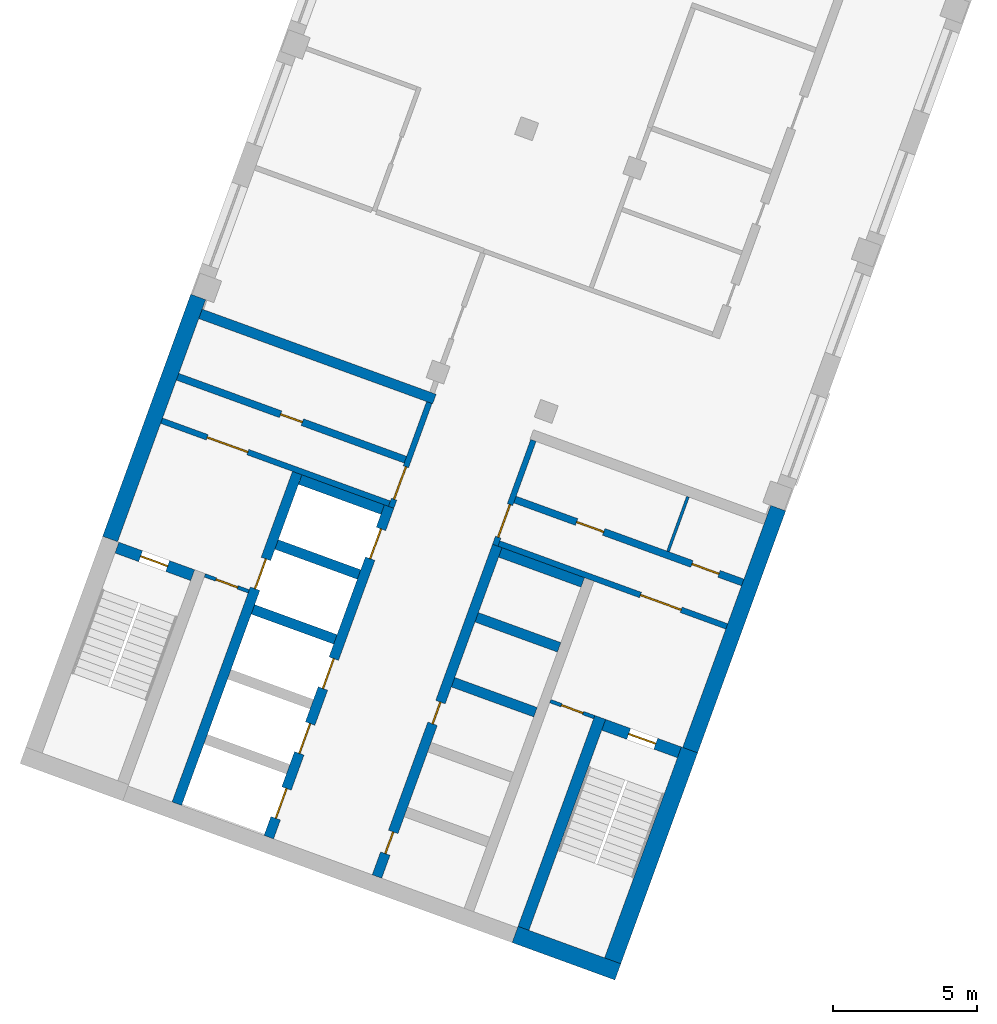
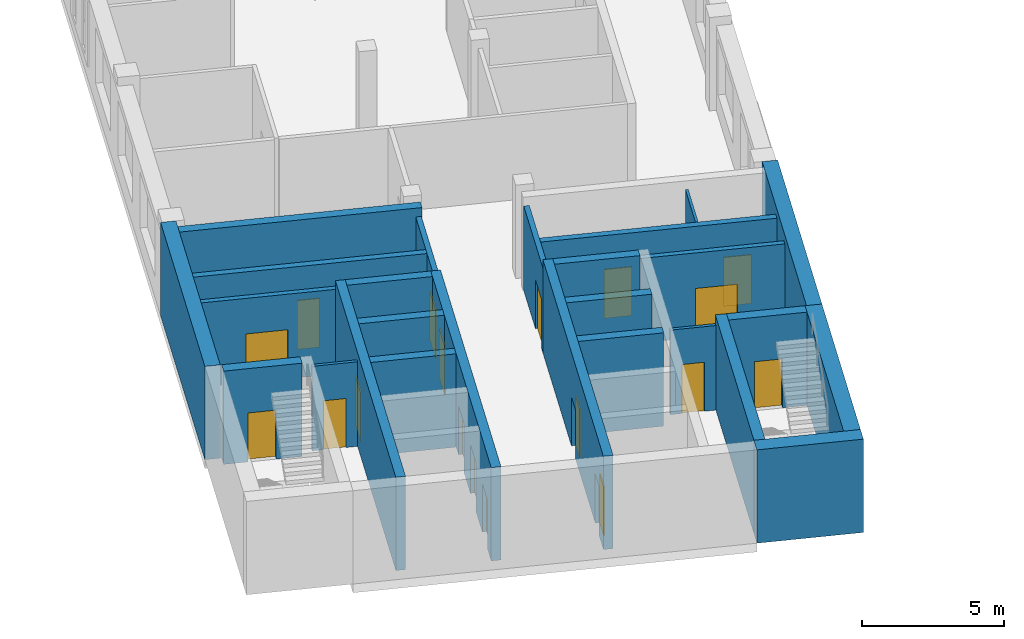
# One storey, part 2 of 8: 26 walls, 18 doors, 18 openings.
"""IFC4 building model written with IfcOpenShell, lengths in metres."""

from ifc_helpers import new_model, si_unit, direction, frame, frame_2d, origin, place, context, subcontext, project, spatial, rectangle, extrude, material, layer, layer_set, type_object, element, fill, save


model = new_model("IFC4")

# Units and contexts
model_context = context("Model", 3, precision=1e-05, world=origin(), true_north=direction((0.0, 1.0)))
body_context = subcontext(model_context, "Body", "Model", "MODEL_VIEW")
ifc_project = project(units=[si_unit("LENGTHUNIT", "METRE"), si_unit("AREAUNIT", "SQUARE_METRE"), si_unit("VOLUMEUNIT", "CUBIC_METRE"), si_unit("PLANEANGLEUNIT", "RADIAN"), si_unit("MASSUNIT", "GRAM", prefix="KILO")], contexts=[model_context])

# Site, building, storey
site_placement = place(None, origin())
site = spatial("IfcSite", under=ifc_project, at=site_placement, CompositionType="ELEMENT")
building_placement = place(site_placement, origin())
building = spatial("IfcBuilding", under=site, at=building_placement, Name="Skarvind Civic Tower", CompositionType="ELEMENT")
storey_placement = place(building_placement, frame((0.0, 0.0, 146.5)))
storey = spatial("IfcBuildingStorey", under=building, at=storey_placement, Name="L34", CompositionType="ELEMENT", Elevation=146.5)

# Wall, opening, door
ifc_material_1 = material(Name="Fire-rated masonry partition", Category="masonry")
ifc_layer_1 = layer(ifc_material_1, 0.199951171875)
ifc_layer_set_1 = layer_set([ifc_layer_1], Name="Core enclosure wall 200")
wall_type_1 = type_object("IfcWallType", Name="Core enclosure wall 200", PredefinedType="PARTITIONING", material=ifc_layer_set_1)
wall_1_placement = place(storey_placement, frame((31.45947265625, 93.67822265625, 0.0), z_axis=(0.0, 0.0, 1.0), x_axis=(0.341985870128, 0.939705094502, 0.0)))
wall_1 = element("IfcWall", 1, at=wall_1_placement, inside=storey, type_object=wall_type_1, Name="Core wall C2", PredefinedType="PARTITIONING", context=body_context, shape_type="SweptSolid", body=[
    extrude(rectangle(XDim=3.875, YDim=0.199951171875, at=frame_2d((1.9375, 0.0))), origin(), (0.0, 0.0, 1.0), 3.625),
])
opening_1_placement = place(wall_1_placement, frame((0.300048828125, 0.0, 0.0)))
opening_1 = element("IfcOpeningElement", 2, at=opening_1_placement, cuts=wall_1, Name="Opening D-L34-C2-07", PredefinedType="OPENING", context=body_context, shape_type="SweptSolid", body=[
    extrude(rectangle(XDim=1.199951171875, YDim=2.10009765625, at=frame_2d((0.60009765625, 1.050048828125))), frame((0.0, 0.10986328125, 0.0), z_axis=(0.0, -1.0, 0.0), x_axis=(1.0, 0.0, 0.0)), (0.0, 0.0, 1.0), 0.219970703125),
])
ifc_material_2 = material(Name="Fire-rated steel door", Category="steel")
door_type_1 = type_object("IfcDoorType", Name="Core lobby door 1200", OperationType="NOTDEFINED", PredefinedType="DOOR", material=ifc_material_2)
door_1_placement = place(opening_1_placement, origin())
door_1 = element("IfcDoor", 3, at=door_1_placement, inside=storey, type_object=door_type_1, Name="Fire door", OperationType="DOUBLE_DOOR_SINGLE_SWING", OverallHeight=2.10009765625, OverallWidth=1.199951171875, PredefinedType="DOOR", context=body_context, shape_type="SweptSolid", body=[
    extrude(rectangle(XDim=1.199951171875, YDim=2.10009765625, at=frame_2d((0.60009765625, 1.050048828125))), frame((0.0, 0.02490234375, 0.0), z_axis=(0.0, -1.0, 0.0), x_axis=(1.0, 0.0, 0.0)), (0.0, 0.0, 1.0), 0.050048828125),
])
fill(opening_1, door_1)

wall_2_placement = place(storey_placement, frame((23.482666015625, 96.68798828125, 0.0), z_axis=(0.0, 0.0, 1.0), x_axis=(0.939691007314, -0.342024576271, 0.0)))
wall_2 = element("IfcWall", 4, at=wall_2_placement, inside=storey, type_object=wall_type_1, Name="Core wall C2", PredefinedType="PARTITIONING", context=body_context, shape_type="SweptSolid", body=[
    extrude(rectangle(XDim=8.425048828125, YDim=0.199951171875, at=frame_2d((4.21240234375, 0.0))), origin(), (0.0, 0.0, 1.0), 3.625),
])
opening_2_placement = place(wall_2_placement, frame((1.6875, 0.0, 0.0)))
opening_2 = element("IfcOpeningElement", 5, at=opening_2_placement, cuts=wall_2, Name="Opening D-L34-C2-08", PredefinedType="OPENING", context=body_context, shape_type="SweptSolid", body=[
    extrude(rectangle(XDim=1.5, YDim=2.10009765625, at=frame_2d((0.75, 1.050048828125))), frame((0.0, 0.10986328125, 0.0), z_axis=(0.0, -1.0, 0.0), x_axis=(1.0, 0.0, 0.0)), (0.0, 0.0, 1.0), 0.219970703125),
])
door_type_2 = type_object("IfcDoorType", Name="Fire door 1500", OperationType="NOTDEFINED", PredefinedType="DOOR", material=ifc_material_2)
door_2_placement = place(opening_2_placement, origin())
door_2 = element("IfcDoor", 6, at=door_2_placement, inside=storey, type_object=door_type_2, Name="Fire door", OperationType="DOUBLE_DOOR_SINGLE_SWING", OverallHeight=2.10009765625, OverallWidth=1.5, PredefinedType="DOOR", context=body_context, shape_type="SweptSolid", body=[
    extrude(rectangle(XDim=1.5, YDim=2.10009765625, at=frame_2d((0.75, 1.050048828125))), frame((0.0, 0.02490234375, 0.0), z_axis=(0.0, -1.0, 0.0), x_axis=(1.0, 0.0, 0.0)), (0.0, 0.0, 1.0), 0.050048828125),
])
fill(opening_2, door_2)

wall_3_placement = place(storey_placement, frame((36.402587890625, 96.0029296875, 0.0), z_axis=(0.0, 0.0, 1.0), x_axis=(-0.342041503764, -0.939684845947, 0.0)))
wall_3 = element("IfcWall", 7, at=wall_3_placement, inside=storey, type_object=wall_type_1, Name="Core wall C2", PredefinedType="PARTITIONING", context=body_context, shape_type="SweptSolid", body=[
    extrude(rectangle(XDim=3.875, YDim=0.199951171875, at=frame_2d((1.9375, 0.0))), origin(), (0.0, 0.0, 1.0), 3.625),
])
opening_3_placement = place(wall_3_placement, frame((2.375, 0.0, 0.0)))
opening_3 = element("IfcOpeningElement", 8, at=opening_3_placement, cuts=wall_3, Name="Opening D-L34-C2-12", PredefinedType="OPENING", context=body_context, shape_type="SweptSolid", body=[
    extrude(rectangle(XDim=1.199951171875, YDim=2.10009765625, at=frame_2d((0.60009765625, 1.050048828125))), frame((0.0, 0.10986328125, 0.0), z_axis=(0.0, -1.0, 0.0), x_axis=(1.0, 0.0, 0.0)), (0.0, 0.0, 1.0), 0.219970703125),
])
door_3_placement = place(opening_3_placement, origin())
door_3 = element("IfcDoor", 9, at=door_3_placement, inside=storey, type_object=door_type_1, Name="Fire door", OperationType="DOUBLE_DOOR_SINGLE_SWING", OverallHeight=2.10009765625, OverallWidth=1.199951171875, PredefinedType="DOOR", context=body_context, shape_type="SweptSolid", body=[
    extrude(rectangle(XDim=1.199951171875, YDim=2.10009765625, at=frame_2d((0.60009765625, 1.050048828125))), frame((0.0, 0.02490234375, 0.0), z_axis=(0.0, -1.0, 0.0), x_axis=(1.0, 0.0, 0.0)), (0.0, 0.0, 1.0), 0.050048828125),
])
fill(opening_3, door_3)

wall_4_placement = place(storey_placement, frame((35.205322265625, 92.42138671875, 0.0), z_axis=(0.0, 0.0, 1.0), x_axis=(0.939691007314, -0.342024576271, 0.0)))
wall_4 = element("IfcWall", 10, at=wall_4_placement, inside=storey, type_object=wall_type_1, Name="Core wall C2", PredefinedType="PARTITIONING", context=body_context, shape_type="SweptSolid", body=[
    extrude(rectangle(XDim=8.425048828125, YDim=0.199951171875, at=frame_2d((4.21240234375, 0.0))), origin(), (0.0, 0.0, 1.0), 3.625),
])
opening_4_placement = place(wall_4_placement, frame((5.237548828125, 0.0, 0.0)))
opening_4 = element("IfcOpeningElement", 11, at=opening_4_placement, cuts=wall_4, Name="Opening D-L34-C2-13", PredefinedType="OPENING", context=body_context, shape_type="SweptSolid", body=[
    extrude(rectangle(XDim=1.5, YDim=2.10009765625, at=frame_2d((0.75, 1.050048828125))), frame((0.0, 0.10986328125, 0.0), z_axis=(0.0, -1.0, 0.0), x_axis=(1.0, 0.0, 0.0)), (0.0, 0.0, 1.0), 0.219970703125),
])
door_4_placement = place(opening_4_placement, origin())
door_4 = element("IfcDoor", 12, at=door_4_placement, inside=storey, type_object=door_type_2, Name="Fire door", OperationType="DOUBLE_DOOR_SINGLE_SWING", OverallHeight=2.10009765625, OverallWidth=1.5, PredefinedType="DOOR", context=body_context, shape_type="SweptSolid", body=[
    extrude(rectangle(XDim=1.5, YDim=2.10009765625, at=frame_2d((0.75, 1.050048828125))), frame((0.0, 0.02490234375, 0.0), z_axis=(0.0, -1.0, 0.0), x_axis=(1.0, 0.0, 0.0)), (0.0, 0.0, 1.0), 0.050048828125),
])
fill(opening_4, door_4)

# Wall
ifc_material_3 = material(Name="Fire-rated plasterboard partition")
ifc_layer_2 = layer(ifc_material_3, 0.10009765625)
ifc_layer_set_2 = layer_set([ifc_layer_2], Name="Core partition wall 100")
wall_type_2 = type_object("IfcWallType", Name="Core partition wall 100", PredefinedType="PARTITIONING", material=ifc_layer_set_2)
wall_5_placement = place(storey_placement, frame((41.77294921875, 94.048095703125, 0.0), z_axis=(0.0, 0.0, 1.0), x_axis=(-0.342043138314, -0.939684250976, 0.0)))
element("IfcWall", 13, at=wall_5_placement, inside=storey, type_object=wall_type_2, Name="Core wall C2", PredefinedType="PARTITIONING", context=body_context, shape_type="SweptSolid", body=[
    extrude(rectangle(XDim=2.02490234375, YDim=0.10009765625, at=frame_2d((1.012451171875, 0.0))), origin(), (0.0, 0.0, 1.0), 3.625),
])

# Wall, openings, doors
ifc_material_4 = material(Name="Concrete C60", Category="concrete")
ifc_layer_3 = layer(ifc_material_4, 0.35009765625)
ifc_layer_set_3 = layer_set([ifc_layer_3], Name="Core wall 350 C60")
wall_type_3 = type_object("IfcWallType", Name="Core wall 350 C60", PredefinedType="SHEAR", material=ifc_layer_set_3)
wall_6_placement = place(storey_placement, frame((30.966552734375, 80.84814453125, 0.0), z_axis=(0.0, 0.0, 1.0), x_axis=(0.34201563943, 0.939694260058, 0.0)))
wall_6 = element("IfcWall", 14, at=wall_6_placement, inside=storey, type_object=wall_type_3, Name="Core wall C2 south lift row front L34", PredefinedType="SHEAR", context=body_context, shape_type="SweptSolid", body=[
    extrude(rectangle(XDim=12.22509765625, YDim=0.35009765625, at=frame_2d((6.112548828125, 0.0))), origin(), (0.0, 0.0, 1.0), 4.0),
])
opening_5_placement = place(wall_6_placement, frame((0.85009765625, 0.0, 0.0)))
opening_5 = element("IfcOpeningElement", 15, at=opening_5_placement, cuts=wall_6, Name="Opening D-L34-C2-05", PredefinedType="OPENING", context=body_context, shape_type="SweptSolid", body=[
    extrude(rectangle(XDim=0.800048828125, YDim=2.10009765625, at=frame_2d((0.39990234375, 1.050048828125))), frame((0.0, 0.18505859375, 0.0), z_axis=(0.0, -1.0, 0.0), x_axis=(1.0, 0.0, 0.0)), (0.0, 0.0, 1.0), 0.3701171875),
])
opening_6_placement = place(wall_6_placement, frame((5.64990234375, 0.0, 0.0)))
opening_6 = element("IfcOpeningElement", 16, at=opening_6_placement, cuts=wall_6, Name="Opening D-L34-C2-06", PredefinedType="OPENING", context=body_context, shape_type="SweptSolid", body=[
    extrude(rectangle(XDim=0.800048828125, YDim=2.10009765625, at=frame_2d((0.39990234375, 1.050048828125))), frame((0.0, 0.18505859375, 0.0), z_axis=(0.0, -1.0, 0.0), x_axis=(1.0, 0.0, 0.0)), (0.0, 0.0, 1.0), 0.3701171875),
])
door_type_3 = type_object("IfcDoorType", Name="Core riser door 800", OperationType="NOTDEFINED", PredefinedType="DOOR", material=ifc_material_2)
door_5_placement = place(opening_5_placement, origin())
door_5 = element("IfcDoor", 17, at=door_5_placement, inside=storey, type_object=door_type_3, Name="Riser door", OperationType="SINGLE_SWING_LEFT", OverallHeight=2.10009765625, OverallWidth=0.800048828125, PredefinedType="DOOR", context=body_context, shape_type="SweptSolid", body=[
    extrude(rectangle(XDim=0.800048828125, YDim=2.10009765625, at=frame_2d((0.39990234375, 1.050048828125))), frame((0.0, 0.02490234375, 0.0), z_axis=(0.0, -1.0, 0.0), x_axis=(1.0, 0.0, 0.0)), (0.0, 0.0, 1.0), 0.050048828125),
])
fill(opening_5, door_5)
door_6_placement = place(opening_6_placement, origin())
door_6 = element("IfcDoor", 18, at=door_6_placement, inside=storey, type_object=door_type_3, Name="Riser door", OperationType="SINGLE_SWING_RIGHT", OverallHeight=2.10009765625, OverallWidth=0.800048828125, PredefinedType="DOOR", context=body_context, shape_type="SweptSolid", body=[
    extrude(rectangle(XDim=0.800048828125, YDim=2.10009765625, at=frame_2d((0.39990234375, 1.050048828125))), frame((0.0, 0.02490234375, 0.0), z_axis=(0.0, -1.0, 0.0), x_axis=(1.0, 0.0, 0.0)), (0.0, 0.0, 1.0), 0.050048828125),
])
fill(opening_6, door_6)

# Walls
for number, where, z_axis, x_axis, name in (
    (19, (36.4765625, 86.557861328125, 0.0), (0.0, 0.0, 1.0), (-0.939683528043, 0.3420451244, 0.0), "Core wall C2 south lift row division 3 L34"),
    (20, (37.297607421875, 88.813232421875, 0.0), (0.0, 0.0, 1.0), (-0.939692892192, 0.342019397644, 0.0), "Core wall C2 south lift row division 4 L34"),
    (21, (38.118408203125, 91.068359375, 0.0), (0.0, 0.0, 1.0), (-0.939692892192, 0.342019397644, 0.0), "Core wall C2 south lift row division 5 L34"),
):
    element("IfcWall", number, at=place(storey_placement, frame(where, z_axis=z_axis, x_axis=x_axis)), inside=storey, type_object=wall_type_3, Name=name, PredefinedType="SHEAR", context=body_context, shape_type="SweptSolid", body=[
        extrude(rectangle(XDim=3.050048828125, YDim=0.35009765625, at=frame_2d((1.52490234375, 0.0))), origin(), (0.0, 0.0, 1.0), 4.0),
    ])

# Wall, openings, doors
wall_7_placement = place(storey_placement, frame((27.207763671875, 82.21630859375, 0.0), z_axis=(0.0, 0.0, 1.0), x_axis=(0.34201563943, 0.939694260058, 0.0)))
wall_7 = element("IfcWall", 22, at=wall_7_placement, inside=storey, type_object=wall_type_3, Name="Core wall C2 north lift row front L34", PredefinedType="SHEAR", context=body_context, shape_type="SweptSolid", body=[
    extrude(rectangle(XDim=12.22509765625, YDim=0.35009765625, at=frame_2d((6.112548828125, 0.0))), origin(), (0.0, 0.0, 1.0), 4.0),
])
opening_7_placement = place(wall_7_placement, frame((0.699951171875, 0.0, 0.0)))
opening_7 = element("IfcOpeningElement", 23, at=opening_7_placement, cuts=wall_7, Name="Opening LD36201", PredefinedType="OPENING", context=body_context, shape_type="SweptSolid", body=[
    extrude(rectangle(XDim=1.10009765625, YDim=2.10009765625, at=frame_2d((0.550048828125, 1.050048828125))), frame((0.0, 0.18505859375, 0.0), z_axis=(0.0, -1.0, 0.0), x_axis=(1.0, 0.0, 0.0)), (0.0, 0.0, 1.0), 0.3701171875),
])
opening_8_placement = place(wall_7_placement, frame((3.10009765625, 0.0, 0.0)))
opening_8 = element("IfcOpeningElement", 24, at=opening_8_placement, cuts=wall_7, Name="Opening LD36202", PredefinedType="OPENING", context=body_context, shape_type="SweptSolid", body=[
    extrude(rectangle(XDim=1.10009765625, YDim=2.10009765625, at=frame_2d((0.550048828125, 1.050048828125))), frame((0.0, 0.18505859375, 0.0), z_axis=(0.0, -1.0, 0.0), x_axis=(1.0, 0.0, 0.0)), (0.0, 0.0, 1.0), 0.3701171875),
])
opening_9_placement = place(wall_7_placement, frame((5.5, 0.0, 0.0)))
opening_9 = element("IfcOpeningElement", 25, at=opening_9_placement, cuts=wall_7, Name="Opening LD36203", PredefinedType="OPENING", context=body_context, shape_type="SweptSolid", body=[
    extrude(rectangle(XDim=1.10009765625, YDim=2.10009765625, at=frame_2d((0.550048828125, 1.050048828125))), frame((0.0, 0.18505859375, 0.0), z_axis=(0.0, -1.0, 0.0), x_axis=(1.0, 0.0, 0.0)), (0.0, 0.0, 1.0), 0.3701171875),
])
opening_10_placement = place(wall_7_placement, frame((10.300048828125, 0.0, 0.0)))
opening_10 = element("IfcOpeningElement", 26, at=opening_10_placement, cuts=wall_7, Name="Opening LD36205", PredefinedType="OPENING", context=body_context, shape_type="SweptSolid", body=[
    extrude(rectangle(XDim=1.10009765625, YDim=2.10009765625, at=frame_2d((0.550048828125, 1.050048828125))), frame((0.0, 0.18505859375, 0.0), z_axis=(0.0, -1.0, 0.0), x_axis=(1.0, 0.0, 0.0)), (0.0, 0.0, 1.0), 0.3701171875),
])
ifc_material_5 = material(Name="Stainless steel landing door", Category="steel")
door_type_4 = type_object("IfcDoorType", Name="Lift landing door 1100", OperationType="DOUBLE_DOOR_SLIDING", PredefinedType="DOOR", material=ifc_material_5)
door_7_placement = place(opening_7_placement, origin())
door_7 = element("IfcDoor", 27, at=door_7_placement, inside=storey, type_object=door_type_4, Name="Lift landing door", OperationType="DOUBLE_DOOR_SLIDING", OverallHeight=2.10009765625, OverallWidth=1.10009765625, PredefinedType="DOOR", context=body_context, shape_type="SweptSolid", body=[
    extrude(rectangle(XDim=1.10009765625, YDim=2.10009765625, at=frame_2d((0.550048828125, 1.050048828125))), frame((0.0, 0.02490234375, 0.0), z_axis=(0.0, -1.0, 0.0), x_axis=(1.0, 0.0, 0.0)), (0.0, 0.0, 1.0), 0.050048828125),
])
fill(opening_7, door_7)
door_8_placement = place(opening_8_placement, origin())
door_8 = element("IfcDoor", 28, at=door_8_placement, inside=storey, type_object=door_type_4, Name="Lift landing door", OperationType="DOUBLE_DOOR_SLIDING", OverallHeight=2.10009765625, OverallWidth=1.10009765625, PredefinedType="DOOR", context=body_context, shape_type="SweptSolid", body=[
    extrude(rectangle(XDim=1.10009765625, YDim=2.10009765625, at=frame_2d((0.550048828125, 1.050048828125))), frame((0.0, 0.02490234375, 0.0), z_axis=(0.0, -1.0, 0.0), x_axis=(1.0, 0.0, 0.0)), (0.0, 0.0, 1.0), 0.050048828125),
])
fill(opening_8, door_8)
door_9_placement = place(opening_9_placement, origin())
door_9 = element("IfcDoor", 29, at=door_9_placement, inside=storey, type_object=door_type_4, Name="Lift landing door", OperationType="DOUBLE_DOOR_SLIDING", OverallHeight=2.10009765625, OverallWidth=1.10009765625, PredefinedType="DOOR", context=body_context, shape_type="SweptSolid", body=[
    extrude(rectangle(XDim=1.10009765625, YDim=2.10009765625, at=frame_2d((0.550048828125, 1.050048828125))), frame((0.0, 0.02490234375, 0.0), z_axis=(0.0, -1.0, 0.0), x_axis=(1.0, 0.0, 0.0)), (0.0, 0.0, 1.0), 0.050048828125),
])
fill(opening_9, door_9)
door_10_placement = place(opening_10_placement, origin())
door_10 = element("IfcDoor", 30, at=door_10_placement, inside=storey, type_object=door_type_4, Name="Lift landing door", OperationType="DOUBLE_DOOR_SLIDING", OverallHeight=2.10009765625, OverallWidth=1.10009765625, PredefinedType="DOOR", context=body_context, shape_type="SweptSolid", body=[
    extrude(rectangle(XDim=1.10009765625, YDim=2.10009765625, at=frame_2d((0.550048828125, 1.050048828125))), frame((0.0, 0.02490234375, 0.0), z_axis=(0.0, -1.0, 0.0), x_axis=(1.0, 0.0, 0.0)), (0.0, 0.0, 1.0), 0.050048828125),
])
fill(opening_10, door_10)

# Wall, opening, door
wall_8_placement = place(storey_placement, frame((24.0126953125, 83.379150390625, 0.0), z_axis=(0.0, 0.0, 1.0), x_axis=(0.34201563943, 0.939694260058, 0.0)))
wall_8 = element("IfcWall", 31, at=wall_8_placement, inside=storey, type_object=wall_type_3, Name="Core wall C2 north lift row back L34", PredefinedType="SHEAR", context=body_context, shape_type="SweptSolid", body=[
    extrude(rectangle(XDim=12.22509765625, YDim=0.35009765625, at=frame_2d((6.112548828125, 0.0))), origin(), (0.0, 0.0, 1.0), 4.0),
])
opening_11_placement = place(wall_8_placement, frame((7.949951171875, 0.0, 0.0)))
opening_11 = element("IfcOpeningElement", 32, at=opening_11_placement, cuts=wall_8, Name="Opening LD36204", PredefinedType="OPENING", context=body_context, shape_type="SweptSolid", body=[
    extrude(rectangle(XDim=1.10009765625, YDim=2.10009765625, at=frame_2d((0.550048828125, 1.050048828125))), frame((0.0, 0.18505859375, 0.0), z_axis=(0.0, -1.0, 0.0), x_axis=(1.0, 0.0, 0.0)), (0.0, 0.0, 1.0), 0.3701171875),
])
door_11_placement = place(opening_11_placement, origin())
door_11 = element("IfcDoor", 33, at=door_11_placement, inside=storey, type_object=door_type_4, Name="Lift landing door", OperationType="DOUBLE_DOOR_SLIDING", OverallHeight=2.10009765625, OverallWidth=1.10009765625, PredefinedType="DOOR", context=body_context, shape_type="SweptSolid", body=[
    extrude(rectangle(XDim=1.10009765625, YDim=2.10009765625, at=frame_2d((0.550048828125, 1.050048828125))), frame((0.0, 0.02490234375, 0.0), z_axis=(0.0, -1.0, 0.0), x_axis=(1.0, 0.0, 0.0)), (0.0, 0.0, 1.0), 0.050048828125),
])
fill(opening_11, door_11)

# Walls
wall_9_placement = place(storey_placement, frame((29.52294921875, 89.0888671875, 0.0), z_axis=(0.0, 0.0, 1.0), x_axis=(-0.939692892192, 0.342019397644, 0.0)))
element("IfcWall", 34, at=wall_9_placement, inside=storey, type_object=wall_type_3, Name="Core wall C2 north lift row division 3 L34", PredefinedType="SHEAR", context=body_context, shape_type="SweptSolid", body=[
    extrude(rectangle(XDim=3.050048828125, YDim=0.35009765625, at=frame_2d((1.52490234375, 0.0))), origin(), (0.0, 0.0, 1.0), 4.0),
])
wall_10_placement = place(storey_placement, frame((30.34375, 91.34423828125, 0.0), z_axis=(0.0, 0.0, 1.0), x_axis=(-0.939709254651, 0.341974438698, 0.0)))
element("IfcWall", 35, at=wall_10_placement, inside=storey, type_object=wall_type_3, Name="Core wall C2 north lift row division 4 L34", PredefinedType="SHEAR", context=body_context, shape_type="SweptSolid", body=[
    extrude(rectangle(XDim=3.0498046875, YDim=0.35009765625, at=frame_2d((1.52490234375, 0.0))), origin(), (0.0, 0.0, 1.0), 4.0),
])
wall_11_placement = place(storey_placement, frame((31.16455078125, 93.599365234375, 0.0), z_axis=(0.0, 0.0, 1.0), x_axis=(-0.939683528043, 0.3420451244, 0.0)))
element("IfcWall", 36, at=wall_11_placement, inside=storey, type_object=wall_type_3, Name="Core wall C2 north lift row division 5 L34", PredefinedType="SHEAR", context=body_context, shape_type="SweptSolid", body=[
    extrude(rectangle(XDim=3.050048828125, YDim=0.35009765625, at=frame_2d((1.52490234375, 0.0))), origin(), (0.0, 0.0, 1.0), 4.0),
])
wall_12_placement = place(storey_placement, frame((32.9619140625, 97.44140625, 0.0), z_axis=(0.0, 0.0, 1.0), x_axis=(-0.939689545667, 0.342028592028, 0.0)))
element("IfcWall", 37, at=wall_12_placement, inside=storey, type_object=wall_type_3, Name="Core wall C2 north inner face L34", PredefinedType="SHEAR", context=body_context, shape_type="SweptSolid", body=[
    extrude(rectangle(XDim=8.64990234375, YDim=0.35009765625, at=frame_2d((4.324951171875, 0.0))), origin(), (0.0, 0.0, 1.0), 4.0),
])
ifc_layer_4 = layer(ifc_material_4, 0.39990234375)
ifc_layer_set_4 = layer_set([ifc_layer_4], Name="Core wall 400 C60")
wall_type_4 = type_object("IfcWallType", Name="Core wall 400 C60", PredefinedType="SHEAR", material=ifc_layer_set_4)
wall_13_placement = place(storey_placement, frame((36.057861328125, 79.04833984375, 0.0), z_axis=(0.0, 0.0, 1.0), x_axis=(0.342016982193, 0.939693771338, 0.0)))
element("IfcWall", 38, at=wall_13_placement, inside=storey, type_object=wall_type_4, Name="Core wall C2 south stair inner L34", PredefinedType="SHEAR", context=body_context, shape_type="SweptSolid", body=[
    extrude(rectangle(XDim=7.800048828125, YDim=0.39990234375, at=frame_2d((3.89990234375, 0.0))), origin(), (0.0, 0.0, 1.0), 4.0),
])

# Wall, opening, door
wall_14_placement = place(storey_placement, frame((41.476318359375, 85.163818359375, 0.0), z_axis=(0.0, 0.0, 1.0), x_axis=(-0.939678810556, 0.342058084236, 0.0)))
wall_14 = element("IfcWall", 39, at=wall_14_placement, inside=storey, type_object=wall_type_4, Name="Core wall C2 south stair end L34", PredefinedType="SHEAR", context=body_context, shape_type="SweptSolid", body=[
    extrude(rectangle(XDim=2.800048828125, YDim=0.39990234375, at=frame_2d((1.39990234375, 0.0))), origin(), (0.0, 0.0, 1.0), 4.0),
])
opening_12_placement = place(wall_14_placement, frame((0.875, 0.0, 0.0)))
opening_12 = element("IfcOpeningElement", 40, at=opening_12_placement, cuts=wall_14, Name="Opening D-L34-C2-14", PredefinedType="OPENING", context=body_context, shape_type="SweptSolid", body=[
    extrude(rectangle(XDim=1.0, YDim=2.10009765625, at=frame_2d((0.5, 1.050048828125))), frame((0.0, 0.2099609375, 0.0), z_axis=(0.0, -1.0, 0.0), x_axis=(1.0, 0.0, 0.0)), (0.0, 0.0, 1.0), 0.419921875),
])
door_type_5 = type_object("IfcDoorType", Name="Fire door 1000", OperationType="NOTDEFINED", PredefinedType="DOOR", material=ifc_material_2)
door_12_placement = place(opening_12_placement, origin())
door_12 = element("IfcDoor", 41, at=door_12_placement, inside=storey, type_object=door_type_5, Name="Fire door", OperationType="SINGLE_SWING_RIGHT", OverallHeight=2.10009765625, OverallWidth=1.0, PredefinedType="DOOR", context=body_context, shape_type="SweptSolid", body=[
    extrude(rectangle(XDim=1.0, YDim=2.10009765625, at=frame_2d((0.5, 1.050048828125))), frame((0.0, 0.02490234375, 0.0), z_axis=(0.0, -1.0, 0.0), x_axis=(1.0, 0.0, 0.0)), (0.0, 0.0, 1.0), 0.050048828125),
])
fill(opening_12, door_12)

wall_15_placement = place(storey_placement, frame((24.56201171875, 91.3203125, 0.0), z_axis=(0.0, 0.0, 1.0), x_axis=(-0.939717030584, 0.341953070509, 0.0)))
wall_15 = element("IfcWall", 42, at=wall_15_placement, inside=storey, type_object=wall_type_4, Name="Core wall C2 north stair end L34", PredefinedType="SHEAR", context=body_context, shape_type="SweptSolid", body=[
    extrude(rectangle(XDim=2.800048828125, YDim=0.39990234375, at=frame_2d((1.39990234375, 0.0))), origin(), (0.0, 0.0, 1.0), 4.0),
])
opening_13_placement = place(wall_15_placement, frame((0.925048828125, 0.0, 0.0)))
opening_13 = element("IfcOpeningElement", 43, at=opening_13_placement, cuts=wall_15, Name="Opening D-L34-C2-09", PredefinedType="OPENING", context=body_context, shape_type="SweptSolid", body=[
    extrude(rectangle(XDim=1.0, YDim=2.10009765625, at=frame_2d((0.5, 1.050048828125))), frame((0.0, 0.2099609375, 0.0), z_axis=(0.0, -1.0, 0.0), x_axis=(1.0, 0.0, 0.0)), (0.0, 0.0, 1.0), 0.419921875),
])
door_13_placement = place(opening_13_placement, origin())
door_13 = element("IfcDoor", 44, at=door_13_placement, inside=storey, type_object=door_type_5, Name="Fire door", OperationType="SINGLE_SWING_LEFT", OverallHeight=2.10009765625, OverallWidth=1.0, PredefinedType="DOOR", context=body_context, shape_type="SweptSolid", body=[
    extrude(rectangle(XDim=1.0, YDim=2.10009765625, at=frame_2d((0.5, 1.050048828125))), frame((0.0, 0.02490234375, 0.0), z_axis=(0.0, -1.0, 0.0), x_axis=(1.0, 0.0, 0.0)), (0.0, 0.0, 1.0), 0.050048828125),
])
fill(opening_13, door_13)

# Walls
ifc_layer_5 = layer(ifc_material_4, 0.550048828125)
ifc_layer_set_5 = layer_set([ifc_layer_5], Name="Core wall 550 C60")
wall_type_5 = type_object("IfcWallType", Name="Core wall 550 C60", PredefinedType="SHEAR", material=ifc_layer_set_5)
wall_16_placement = place(storey_placement, frame((41.85009765625, 85.24072265625, 0.0), z_axis=(0.0, 0.0, 1.0), x_axis=(0.34201902012, 0.939693029598, 0.0)))
element("IfcWall", 45, at=wall_16_placement, inside=storey, type_object=wall_type_5, Name="Core wall C2 south side L34", PredefinedType="SHEAR", context=body_context, shape_type="SweptSolid", body=[
    extrude(rectangle(XDim=8.949951171875, YDim=0.550048828125, at=frame_2d((4.47509765625, 0.0))), origin(), (0.0, 0.0, 1.0), 4.0),
])
wall_17_placement = place(storey_placement, frame((21.69384765625, 92.576904296875, 0.0), z_axis=(0.0, 0.0, 1.0), x_axis=(0.342010253184, 0.939696220444, 0.0)))
element("IfcWall", 46, at=wall_17_placement, inside=storey, type_object=wall_type_5, Name="Core wall C2 north side L34", PredefinedType="SHEAR", context=body_context, shape_type="SweptSolid", body=[
    extrude(rectangle(XDim=8.9501953125, YDim=0.550048828125, at=frame_2d((4.47509765625, 0.0))), origin(), (0.0, 0.0, 1.0), 4.0),
])
ifc_layer_6 = layer(ifc_material_4, 0.60009765625)
ifc_layer_set_6 = layer_set([ifc_layer_6], Name="Core wall 600 C60")
wall_type_6 = type_object("IfcWallType", Name="Core wall 600 C60", PredefinedType="SHEAR", material=ifc_layer_set_6)
wall_18_placement = place(storey_placement, frame((39.338134765625, 77.53515625, 0.0), z_axis=(0.0, 0.0, 1.0), x_axis=(-0.939701471648, 0.341995824804, 0.0)))
element("IfcWall", 47, at=wall_18_placement, inside=storey, type_object=wall_type_6, Name="Core wall C2 tip at the south stair L34", PredefinedType="SHEAR", context=body_context, shape_type="SweptSolid", body=[
    extrude(rectangle(XDim=3.800048828125, YDim=0.60009765625, at=frame_2d((1.89990234375, 0.0))), origin(), (0.0, 0.0, 1.0), 4.0),
])
wall_19_placement = place(storey_placement, frame((39.158935546875, 77.919677734375, 0.0), z_axis=(0.0, 0.0, 1.0), x_axis=(0.342016982193, 0.939693771338, 0.0)))
element("IfcWall", 48, at=wall_19_placement, inside=storey, type_object=wall_type_6, Name="Core wall C2 south side at the stair L34", PredefinedType="SHEAR", context=body_context, shape_type="SweptSolid", body=[
    extrude(rectangle(XDim=7.800048828125, YDim=0.60009765625, at=frame_2d((3.89990234375, 0.0))), origin(), (0.0, 0.0, 1.0), 4.0),
])

# Wall, opening, door
ifc_layer_7 = layer(ifc_material_1, 0.125)
ifc_layer_set_7 = layer_set([ifc_layer_7], Name="Riser wall 125")
wall_type_7 = type_object("IfcWallType", Name="Riser wall 125", PredefinedType="PARTITIONING", material=ifc_layer_set_7)
wall_20_placement = place(storey_placement, frame((24.98486328125, 91.3125, 0.0), z_axis=(0.0, 0.0, 1.0), x_axis=(0.939705651352, -0.341984340019, 0.0)))
wall_20 = element("IfcWall", 49, at=wall_20_placement, inside=storey, type_object=wall_type_7, Name="Core wall C2", PredefinedType="PARTITIONING", context=body_context, shape_type="SweptSolid", body=[
    extrude(rectangle(XDim=1.624755859375, YDim=0.125, at=frame_2d((0.8125, 0.0))), origin(), (0.0, 0.0, 1.0), 3.625),
])
opening_14_placement = place(wall_20_placement, frame((0.41259765625, 0.0, 0.0)))
opening_14 = element("IfcOpeningElement", 50, at=opening_14_placement, cuts=wall_20, Name="Opening D-L34-C2-10", PredefinedType="OPENING", context=body_context, shape_type="SweptSolid", body=[
    extrude(rectangle(XDim=0.800048828125, YDim=2.10009765625, at=frame_2d((0.39990234375, 1.050048828125))), frame((0.0, 0.072509765625, 0.0), z_axis=(0.0, -1.0, 0.0), x_axis=(1.0, 0.0, 0.0)), (0.0, 0.0, 1.0), 0.14501953125),
])
door_14_placement = place(opening_14_placement, origin())
door_14 = element("IfcDoor", 51, at=door_14_placement, inside=storey, type_object=door_type_3, Name="Riser door", OperationType="SINGLE_SWING_RIGHT", OverallHeight=2.10009765625, OverallWidth=0.800048828125, PredefinedType="DOOR", context=body_context, shape_type="SweptSolid", body=[
    extrude(rectangle(XDim=0.800048828125, YDim=2.10009765625, at=frame_2d((0.39990234375, 1.050048828125))), frame((0.0, 0.02490234375, 0.0), z_axis=(0.0, -1.0, 0.0), x_axis=(1.0, 0.0, 0.0)), (0.0, 0.0, 1.0), 0.050048828125),
])
fill(opening_14, door_14)

wall_21_placement = place(storey_placement, frame((36.989501953125, 86.943359375, 0.0), z_axis=(0.0, 0.0, 1.0), x_axis=(0.939657357267, -0.342117013511, 0.0)))
wall_21 = element("IfcWall", 52, at=wall_21_placement, inside=storey, type_object=wall_type_7, Name="Core wall C2", PredefinedType="PARTITIONING", context=body_context, shape_type="SweptSolid", body=[
    extrude(rectangle(XDim=1.625, YDim=0.125, at=frame_2d((0.8125, 0.0))), origin(), (0.0, 0.0, 1.0), 3.625),
])
opening_15_placement = place(wall_21_placement, frame((0.41259765625, 0.0, 0.0)))
opening_15 = element("IfcOpeningElement", 53, at=opening_15_placement, cuts=wall_21, Name="Opening D-L34-C2-15", PredefinedType="OPENING", context=body_context, shape_type="SweptSolid", body=[
    extrude(rectangle(XDim=0.800048828125, YDim=2.10009765625, at=frame_2d((0.39990234375, 1.050048828125))), frame((0.0, 0.072509765625, 0.0), z_axis=(0.0, -1.0, 0.0), x_axis=(1.0, 0.0, 0.0)), (0.0, 0.0, 1.0), 0.14501953125),
])
door_15_placement = place(opening_15_placement, origin())
door_15 = element("IfcDoor", 54, at=door_15_placement, inside=storey, type_object=door_type_3, Name="Riser door", OperationType="SINGLE_SWING_LEFT", OverallHeight=2.10009765625, OverallWidth=0.800048828125, PredefinedType="DOOR", context=body_context, shape_type="SweptSolid", body=[
    extrude(rectangle(XDim=0.800048828125, YDim=2.10009765625, at=frame_2d((0.39990234375, 1.050048828125))), frame((0.0, 0.02490234375, 0.0), z_axis=(0.0, -1.0, 0.0), x_axis=(1.0, 0.0, 0.0)), (0.0, 0.0, 1.0), 0.050048828125),
])
fill(opening_15, door_15)

ifc_layer_8 = layer(ifc_material_1, 0.25)
ifc_layer_set_8 = layer_set([ifc_layer_8], Name="Service block wall 250")
wall_type_8 = type_object("IfcWallType", Name="Service block wall 250", PredefinedType="PARTITIONING", material=ifc_layer_set_8)
wall_22_placement = place(storey_placement, frame((24.03857421875, 98.215087890625, 0.0), z_axis=(0.0, 0.0, 1.0), x_axis=(0.939687617333, -0.342033889887, 0.0)))
wall_22 = element("IfcWall", 55, at=wall_22_placement, inside=storey, type_object=wall_type_8, Name="Core wall C2", PredefinedType="PARTITIONING", context=body_context, shape_type="SweptSolid", body=[
    extrude(rectangle(XDim=8.4248046875, YDim=0.25, at=frame_2d((4.21240234375, 0.0))), origin(), (0.0, 0.0, 1.0), 3.625),
])
opening_16_placement = place(wall_22_placement, frame((3.8125, 0.0, 0.0)))
opening_16 = element("IfcOpeningElement", 56, at=opening_16_placement, cuts=wall_22, Name="Opening D-L34-C2-11", PredefinedType="OPENING", context=body_context, shape_type="SweptSolid", body=[
    extrude(rectangle(XDim=0.800048828125, YDim=2.10009765625, at=frame_2d((0.39990234375, 1.050048828125))), frame((0.0, 0.135009765625, 0.0), z_axis=(0.0, -1.0, 0.0), x_axis=(1.0, 0.0, 0.0)), (0.0, 0.0, 1.0), 0.27001953125),
])
door_16_placement = place(opening_16_placement, origin())
door_16 = element("IfcDoor", 57, at=door_16_placement, inside=storey, type_object=door_type_3, Name="Riser door", OperationType="SINGLE_SWING_LEFT", OverallHeight=2.10009765625, OverallWidth=0.800048828125, PredefinedType="DOOR", context=body_context, shape_type="SweptSolid", body=[
    extrude(rectangle(XDim=0.800048828125, YDim=2.10009765625, at=frame_2d((0.39990234375, 1.050048828125))), frame((0.0, 0.02490234375, 0.0), z_axis=(0.0, -1.0, 0.0), x_axis=(1.0, 0.0, 0.0)), (0.0, 0.0, 1.0), 0.050048828125),
])
fill(opening_16, door_16)

# Wall, openings, doors
wall_23_placement = place(storey_placement, frame((35.76123046875, 93.9482421875, 0.0), z_axis=(0.0, 0.0, 1.0), x_axis=(0.93969693093, -0.342008301071, 0.0)))
wall_23 = element("IfcWall", 58, at=wall_23_placement, inside=storey, type_object=wall_type_8, Name="Core wall C2", PredefinedType="PARTITIONING", context=body_context, shape_type="SweptSolid", body=[
    extrude(rectangle(XDim=8.4248046875, YDim=0.25, at=frame_2d((4.21240234375, 0.0))), origin(), (0.0, 0.0, 1.0), 3.625),
])
opening_17_placement = place(wall_23_placement, frame((2.282470703125, 0.0, 0.0)))
opening_17 = element("IfcOpeningElement", 59, at=opening_17_placement, cuts=wall_23, Name="Opening D-L34-C2-16", PredefinedType="OPENING", context=body_context, shape_type="SweptSolid", body=[
    extrude(rectangle(XDim=1.0, YDim=2.10009765625, at=frame_2d((0.5, 1.050048828125))), frame((0.0, 0.135009765625, 0.0), z_axis=(0.0, -1.0, 0.0), x_axis=(1.0, 0.0, 0.0)), (0.0, 0.0, 1.0), 0.27001953125),
])
opening_18_placement = place(wall_23_placement, frame((6.544921875, 0.0, 0.0)))
opening_18 = element("IfcOpeningElement", 60, at=opening_18_placement, cuts=wall_23, Name="Opening D-L34-C2-17", PredefinedType="OPENING", context=body_context, shape_type="SweptSolid", body=[
    extrude(rectangle(XDim=1.0, YDim=2.10009765625, at=frame_2d((0.5, 1.050048828125))), frame((0.0, 0.135009765625, 0.0), z_axis=(0.0, -1.0, 0.0), x_axis=(1.0, 0.0, 0.0)), (0.0, 0.0, 1.0), 0.27001953125),
])
door_17_placement = place(opening_17_placement, origin())
door_17 = element("IfcDoor", 61, at=door_17_placement, inside=storey, type_object=door_type_5, Name="Fire door", OperationType="SINGLE_SWING_RIGHT", OverallHeight=2.10009765625, OverallWidth=1.0, PredefinedType="DOOR", context=body_context, shape_type="SweptSolid", body=[
    extrude(rectangle(XDim=1.0, YDim=2.10009765625, at=frame_2d((0.5, 1.050048828125))), frame((0.0, 0.02490234375, 0.0), z_axis=(0.0, -1.0, 0.0), x_axis=(1.0, 0.0, 0.0)), (0.0, 0.0, 1.0), 0.050048828125),
])
fill(opening_17, door_17)
door_18_placement = place(opening_18_placement, origin())
door_18 = element("IfcDoor", 62, at=door_18_placement, inside=storey, type_object=door_type_5, Name="Fire door", OperationType="SINGLE_SWING_LEFT", OverallHeight=2.10009765625, OverallWidth=1.0, PredefinedType="DOOR", context=body_context, shape_type="SweptSolid", body=[
    extrude(rectangle(XDim=1.0, YDim=2.10009765625, at=frame_2d((0.5, 1.050048828125))), frame((0.0, 0.02490234375, 0.0), z_axis=(0.0, -1.0, 0.0), x_axis=(1.0, 0.0, 0.0)), (0.0, 0.0, 1.0), 0.050048828125),
])
fill(opening_18, door_18)

save(model, "model.ifc")
